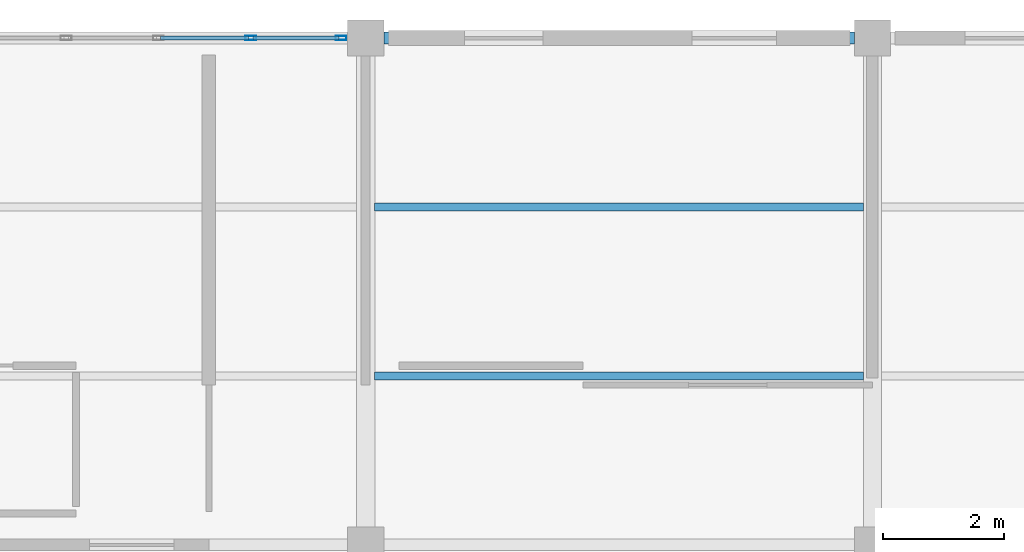
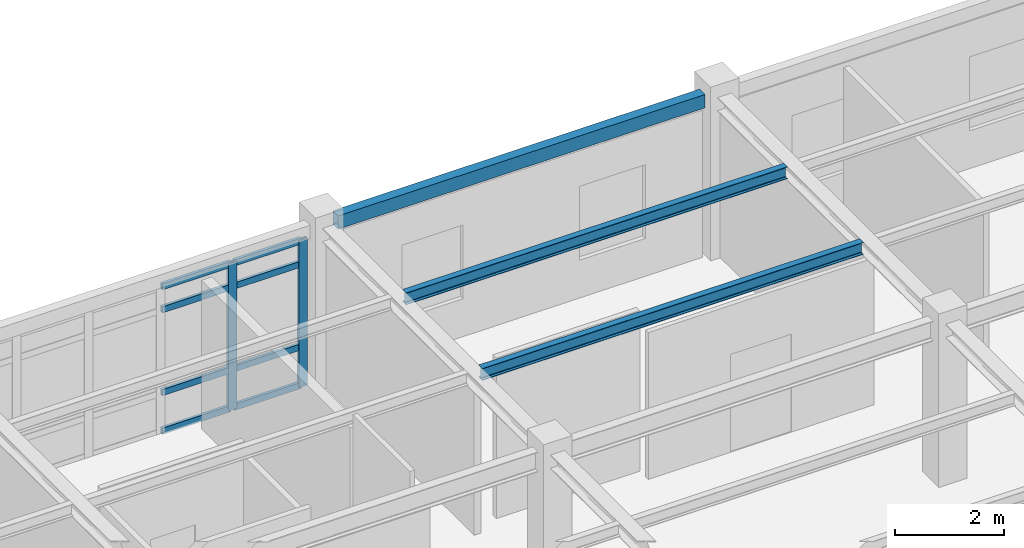
# One storey, part 27 of 70: 10 members, 3 beams, 1 element without a shape of its own.
"""IFC4 building model written with IfcOpenShell, lengths in metres."""

from ifc_helpers import new_model, si_unit, direction, frame, origin, origin_2d, place, context, subcontext, project, spatial, hollow_rectangle, i_section, extrude, material, layer, layer_set, material_profile, profile_set, type_object, element, aggregate, save


model = new_model("IFC4")

# Units and contexts
model_context = context("Model", 3, precision=1e-05, world=origin(), true_north=direction((0.0, 1.0)))
body_context = subcontext(model_context, "Body", "Model", "MODEL_VIEW")
ifc_project = project(units=[si_unit("LENGTHUNIT", "METRE"), si_unit("AREAUNIT", "SQUARE_METRE"), si_unit("VOLUMEUNIT", "CUBIC_METRE"), si_unit("PLANEANGLEUNIT", "RADIAN"), si_unit("MASSUNIT", "GRAM", prefix="KILO")], contexts=[model_context])

# Site, building, storey
site_placement = place(None, origin())
site = spatial("IfcSite", under=ifc_project, at=site_placement, CompositionType="ELEMENT")
building_placement = place(site_placement, origin())
building = spatial("IfcBuilding", under=site, at=building_placement, Name="Bramfleet General Hospital", CompositionType="ELEMENT")
storey_placement = place(building_placement, frame((0.0, 0.0, 22.5)))
storey = spatial("IfcBuildingStorey", under=building, at=storey_placement, Name="L05", CompositionType="ELEMENT", Elevation=22.5)

# Beams
ifc_material_1 = material(Name="Steel S355", Category="steel")
ifc_material_profile_1 = material_profile(ifc_material_1, i_section(OverallWidth=0.135009765625, OverallDepth=0.27001953125, WebThickness=0.006591796875, FlangeThickness=0.01025390625, FilletRadius=0.014892578125, at=origin_2d()), Name="IPE 270")
ifc_profile_set_1 = profile_set([ifc_material_profile_1], Name="Steel S355")
beam_type_1 = type_object("IfcBeamType", Name="BM-IPE270", PredefinedType="JOIST", material=ifc_profile_set_1)
for number, where, z_axis, x_axis, name in (
    (1, (100.949951171875, 112.0, 3.485107421875), (1.0, 0.0, 0.0), (0.0, 1.0, 0.0), "L05 Secondary Joist 12-13-1"),
    (2, (100.949951171875, 114.800048828125, 3.485107421875), (1.0, 0.0, 0.0), (0.0, 1.0, 0.0), "L05 Secondary Joist 12-13-2"),
):
    element("IfcBeam", number, at=place(storey_placement, frame(where, z_axis=z_axis, x_axis=x_axis)), inside=storey, type_object=beam_type_1, Name=name, PredefinedType="JOIST", context=body_context, shape_type="SweptSolid", body=[
        extrude(i_section(OverallWidth=0.135009765625, OverallDepth=0.27001953125, WebThickness=0.006591796875, FlangeThickness=0.01025390625, FilletRadius=0.014892578125, at=origin_2d()), origin(), (0.0, 0.0, 1.0), 8.10009765625),
    ])
ifc_material_profile_2 = material_profile(ifc_material_1, hollow_rectangle(XDim=0.199951171875, YDim=0.300048828125, WallThickness=0.012451171875, at=origin_2d()), Name="RHS 300x200x12.5")
ifc_profile_set_2 = profile_set([ifc_material_profile_2], Name="Steel S355")
beam_type_2 = type_object("IfcBeamType", Name="BM-RHS300", PredefinedType="SPANDREL", material=ifc_profile_set_2)
beam_placement = place(storey_placement, frame((101.10009765625, 117.60009765625, 3.469970703125), z_axis=(1.0, 0.0, 0.0), x_axis=(0.0, 1.0, 0.0)))
element("IfcBeam", 3, at=beam_placement, inside=storey, type_object=beam_type_2, Name="L05 Grid Beam X 12-14", PredefinedType="SPANDREL", context=body_context, shape_type="SweptSolid", body=[
    extrude(hollow_rectangle(XDim=0.199951171875, YDim=0.300048828125, WallThickness=0.012451171875, at=origin_2d()), origin(), (0.0, 0.0, 1.0), 7.7998046875),
])

# Curtain wall, members
ifc_material_2 = material(Name="Anodised aluminium and low-E triple glazing", Category="aluminium")
ifc_layer = layer(ifc_material_2, 0.179931640625, Name="CWT-CW-05")
ifc_layer_set = layer_set([ifc_layer], Name="Anodised aluminium and low-E triple glazing")
curtain_wall_type = type_object("IfcCurtainWallType", Name="CWT-CW-05", PredefinedType="USERDEFINED", material=ifc_layer_set)
curtain_wall_placement = place(storey_placement, origin())
curtain_wall = element("IfcCurtainWall", 4, at=curtain_wall_placement, inside=storey, type_object=curtain_wall_type, Name="L05 Curtain Wall 203", ObjectType="Unitised curtain wall", PredefinedType="USERDEFINED")
ifc_material_3 = material(Name="Anodised aluminium EN AW-6060", Category="aluminium")
ifc_material_profile_3 = material_profile(ifc_material_3, hollow_rectangle(XDim=0.070068359375, YDim=0.179931640625, WallThickness=0.00390625, at=origin_2d()), Name="ALU 180x70x4.0")
ifc_profile_set_3 = profile_set([ifc_material_profile_3], Name="Anodised aluminium EN AW-6060")
member_type_1 = type_object("IfcMemberType", Name="CWM-ALU180", PredefinedType="MULLION", material=ifc_profile_set_3)
member_1_placement = place(storey_placement, frame((98.89501953125, 117.60009765625, 0.0), z_axis=(0.0, 0.0, 1.0), x_axis=(0.0, 1.0, 0.0)))
member_1 = element("IfcMember", 5, at=member_1_placement, type_object=member_type_1, Name="CW-05 mullion 5", PredefinedType="MULLION", context=body_context, shape_type="SweptSolid", body=[
    extrude(hollow_rectangle(XDim=0.070068359375, YDim=0.179931640625, WallThickness=0.00390625, at=origin_2d()), origin(), (0.0, 0.0, 1.0), 3.31005859375),
])
member_2_placement = place(storey_placement, frame((100.389892578125, 117.60009765625, 0.0), z_axis=(0.0, 0.0, 1.0), x_axis=(0.0, 1.0, 0.0)))
member_2 = element("IfcMember", 6, at=member_2_placement, type_object=member_type_1, Name="CW-05 mullion 6", PredefinedType="MULLION", context=body_context, shape_type="SweptSolid", body=[
    extrude(hollow_rectangle(XDim=0.070068359375, YDim=0.179931640625, WallThickness=0.00390625, at=origin_2d()), origin(), (0.0, 0.0, 1.0), 3.31005859375),
])
ifc_material_profile_4 = material_profile(ifc_material_3, hollow_rectangle(XDim=0.06494140625, YDim=0.139892578125, WallThickness=0.00390625, at=origin_2d()), Name="ALU 140x65x4.0")
ifc_profile_set_4 = profile_set([ifc_material_profile_4], Name="Anodised aluminium EN AW-6060")
member_type_2 = type_object("IfcMemberType", Name="CWT-ALU140", PredefinedType="USERDEFINED", material=ifc_profile_set_4)
member_3_placement = place(storey_placement, frame((97.39990234375, 117.60009765625, 0.032470703125), z_axis=(1.0, 0.0, 0.0), x_axis=(0.0, 1.0, 0.0)))
member_3 = element("IfcMember", 7, at=member_3_placement, type_object=member_type_2, Name="CW-05 transom 4.1", ObjectType="TRANSOM", PredefinedType="USERDEFINED", context=body_context, shape_type="SweptSolid", body=[
    extrude(hollow_rectangle(XDim=0.06494140625, YDim=0.139892578125, WallThickness=0.00390625, at=origin_2d()), origin(), (0.0, 0.0, 1.0), 1.460205078125),
])
member_4_placement = place(storey_placement, frame((97.39990234375, 117.60009765625, 0.89990234375), z_axis=(1.0, 0.0, 0.0), x_axis=(0.0, 1.0, 0.0)))
member_4 = element("IfcMember", 8, at=member_4_placement, type_object=member_type_2, Name="CW-05 transom 4.2", ObjectType="TRANSOM", PredefinedType="USERDEFINED", context=body_context, shape_type="SweptSolid", body=[
    extrude(hollow_rectangle(XDim=0.06494140625, YDim=0.139892578125, WallThickness=0.00390625, at=origin_2d()), origin(), (0.0, 0.0, 1.0), 1.460205078125),
])
member_5_placement = place(storey_placement, frame((97.39990234375, 117.60009765625, 2.760009765625), z_axis=(1.0, 0.0, 0.0), x_axis=(0.0, 1.0, 0.0)))
member_5 = element("IfcMember", 9, at=member_5_placement, type_object=member_type_2, Name="CW-05 transom 4.3", ObjectType="TRANSOM", PredefinedType="USERDEFINED", context=body_context, shape_type="SweptSolid", body=[
    extrude(hollow_rectangle(XDim=0.06494140625, YDim=0.139892578125, WallThickness=0.00390625, at=origin_2d()), origin(), (0.0, 0.0, 1.0), 1.460205078125),
])
member_6_placement = place(storey_placement, frame((97.39990234375, 117.60009765625, 3.277587890625), z_axis=(1.0, 0.0, 0.0), x_axis=(0.0, 1.0, 0.0)))
member_6 = element("IfcMember", 10, at=member_6_placement, type_object=member_type_2, Name="CW-05 transom 4.4", ObjectType="TRANSOM", PredefinedType="USERDEFINED", context=body_context, shape_type="SweptSolid", body=[
    extrude(hollow_rectangle(XDim=0.06494140625, YDim=0.139892578125, WallThickness=0.00390625, at=origin_2d()), origin(), (0.0, 0.0, 1.0), 1.460205078125),
])
member_7_placement = place(storey_placement, frame((98.929931640625, 117.60009765625, 0.032470703125), z_axis=(1.0, 0.0, 0.0), x_axis=(0.0, 1.0, 0.0)))
member_7 = element("IfcMember", 11, at=member_7_placement, type_object=member_type_2, Name="CW-05 transom 5.1", ObjectType="TRANSOM", PredefinedType="USERDEFINED", context=body_context, shape_type="SweptSolid", body=[
    extrude(hollow_rectangle(XDim=0.06494140625, YDim=0.139892578125, WallThickness=0.00390625, at=origin_2d()), origin(), (0.0, 0.0, 1.0), 1.425048828125),
])
member_8_placement = place(storey_placement, frame((98.929931640625, 117.60009765625, 0.89990234375), z_axis=(1.0, 0.0, 0.0), x_axis=(0.0, 1.0, 0.0)))
member_8 = element("IfcMember", 12, at=member_8_placement, type_object=member_type_2, Name="CW-05 transom 5.2", ObjectType="TRANSOM", PredefinedType="USERDEFINED", context=body_context, shape_type="SweptSolid", body=[
    extrude(hollow_rectangle(XDim=0.06494140625, YDim=0.139892578125, WallThickness=0.00390625, at=origin_2d()), origin(), (0.0, 0.0, 1.0), 1.425048828125),
])
member_9_placement = place(storey_placement, frame((98.929931640625, 117.60009765625, 2.760009765625), z_axis=(1.0, 0.0, 0.0), x_axis=(0.0, 1.0, 0.0)))
member_9 = element("IfcMember", 13, at=member_9_placement, type_object=member_type_2, Name="CW-05 transom 5.3", ObjectType="TRANSOM", PredefinedType="USERDEFINED", context=body_context, shape_type="SweptSolid", body=[
    extrude(hollow_rectangle(XDim=0.06494140625, YDim=0.139892578125, WallThickness=0.00390625, at=origin_2d()), origin(), (0.0, 0.0, 1.0), 1.425048828125),
])
member_10_placement = place(storey_placement, frame((98.929931640625, 117.60009765625, 3.277587890625), z_axis=(1.0, 0.0, 0.0), x_axis=(0.0, 1.0, 0.0)))
member_10 = element("IfcMember", 14, at=member_10_placement, type_object=member_type_2, Name="CW-05 transom 5.4", ObjectType="TRANSOM", PredefinedType="USERDEFINED", context=body_context, shape_type="SweptSolid", body=[
    extrude(hollow_rectangle(XDim=0.06494140625, YDim=0.139892578125, WallThickness=0.00390625, at=origin_2d()), origin(), (0.0, 0.0, 1.0), 1.425048828125),
])
aggregate(curtain_wall, [member_1, member_2, member_3, member_4, member_5, member_6, member_7, member_8, member_9, member_10])

save(model, "model.ifc")
